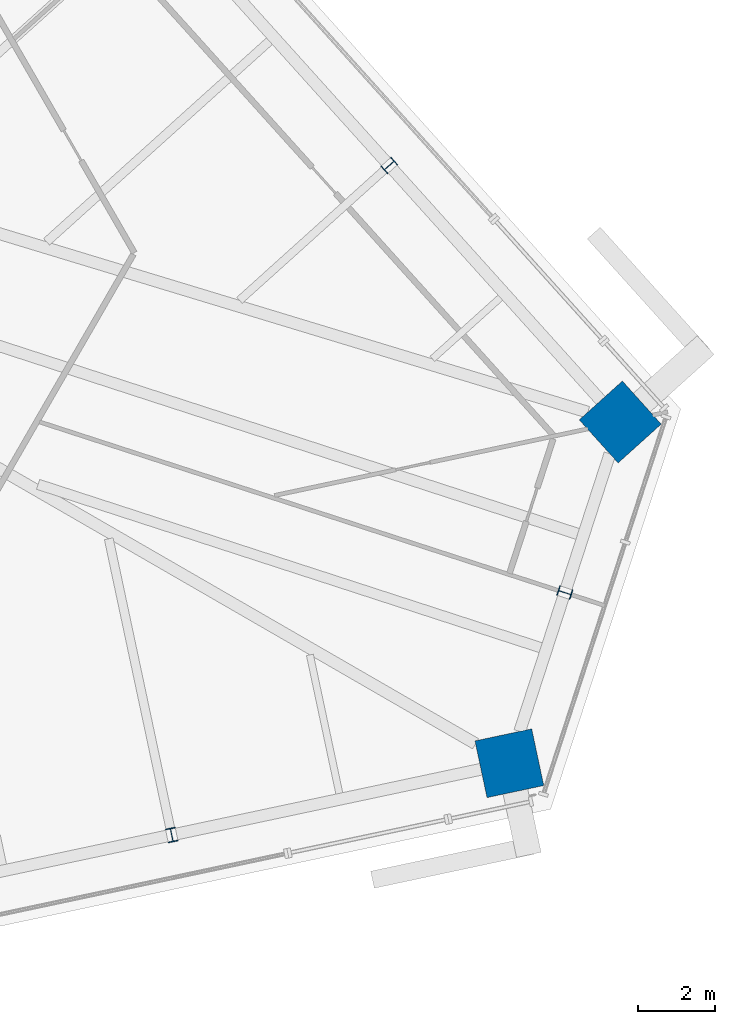
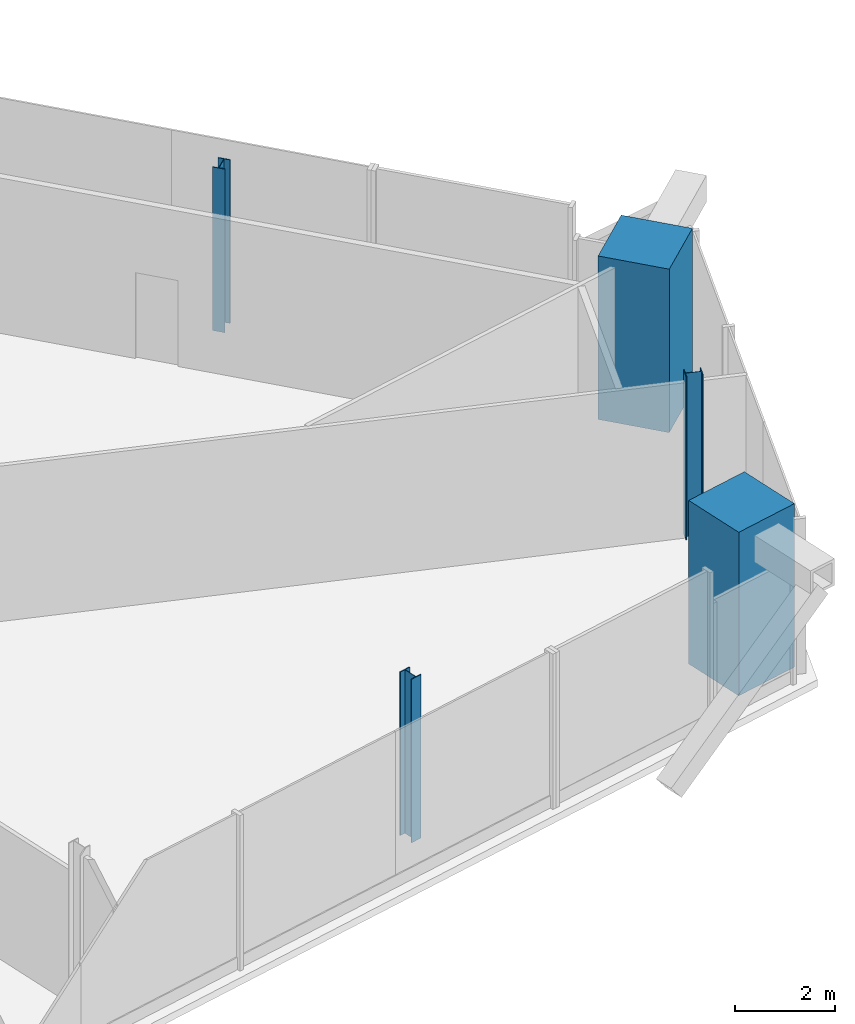
# One storey, part 2 of 16: 5 columns.
"""IFC4 building model written with IfcOpenShell, lengths in metres."""

from ifc_helpers import new_model, si_unit, direction, frame, origin, origin_2d, place, context, subcontext, project, spatial, rectangle, i_section, extrude, source, transform, mapped, material, material_profile, profile_set, type_object, element, save


model = new_model("IFC4")

# Units and contexts
model_context = context("Model", 3, precision=1e-05, world=origin(), true_north=direction((0.0, 1.0)))
body_context = subcontext(model_context, "Body", "Model", "MODEL_VIEW")
ifc_project = project(units=[si_unit("LENGTHUNIT", "METRE"), si_unit("AREAUNIT", "SQUARE_METRE"), si_unit("VOLUMEUNIT", "CUBIC_METRE"), si_unit("PLANEANGLEUNIT", "RADIAN"), si_unit("MASSUNIT", "GRAM", prefix="KILO")], contexts=[model_context])

# Site, building, storey
site_placement = place(None, origin())
site = spatial("IfcSite", under=ifc_project, at=site_placement, CompositionType="ELEMENT")
building_placement = place(site_placement, origin())
building = spatial("IfcBuilding", under=site, at=building_placement, Name="Triune Harvest Tower", CompositionType="ELEMENT")
storey_placement = place(building_placement, frame((0.0, 0.0, 292.699951171875)))
storey = spatial("IfcBuildingStorey", under=building, at=storey_placement, Name="L77", CompositionType="ELEMENT", Elevation=292.699951171875)

# Columns
ifc_material_1 = material(Name="Concrete 70 MPa", Category="concrete")
ifc_material_profile_1 = material_profile(ifc_material_1, rectangle(XDim=1.5, YDim=1.5, at=origin_2d()), Name="Composite 1500x1500")
ifc_profile_set_1 = profile_set([ifc_material_profile_1], Name="Concrete 70 MPa")
column_type_1 = type_object("IfcColumnType", Name="MC-7 Mega column Composite 1500x1500", PredefinedType="COLUMN", material=ifc_profile_set_1)
shared_shape_1 = source(origin(), body_context, "Body", "SweptSolid", [
    extrude(rectangle(XDim=1.5, YDim=1.5, at=origin_2d()), origin(), (0.0, 0.0, 1.0), 4.0),
])
for number, where, z_axis, x_axis, name in (
    (1, (28.4931640625, -4.379150390625, 0.0), (0.0, 0.0, 1.0), (-0.669130606359, 0.743144825477, 0.0), "col/L77/M0"),
    (2, (25.62548828125, -13.205078125, 0.0), (0.0, 0.0, 1.0), (0.978147237858, 0.207913398007, 0.0), "col/L77/M19"),
):
    element("IfcColumn", number, at=place(storey_placement, frame(where, z_axis=z_axis, x_axis=x_axis)), inside=storey, type_object=column_type_1, Name=name, PredefinedType="COLUMN", context=body_context, shape_type="MappedRepresentation", body=[
        mapped(shared_shape_1, transform((0.0, 0.0, 0.0), scale=1.0)),
    ])
ifc_material_2 = material(Name="Steel ASTM A992 Gr 50", Category="steel")
ifc_material_profile_2 = material_profile(ifc_material_2, i_section(OverallWidth=0.256591796875, OverallDepth=0.360595703125, WebThickness=0.011474609375, FlangeThickness=0.02001953125, at=origin_2d()), Name="W14x74")
ifc_profile_set_2 = profile_set([ifc_material_profile_2], Name="Steel ASTM A992 Gr 50")
column_type_2 = type_object("IfcColumnType", Name="PC-7 Perimeter column W14x74", PredefinedType="COLUMN", material=ifc_profile_set_2)
shared_shape_2 = source(origin(), body_context, "Body", "SweptSolid", [
    extrude(i_section(OverallWidth=0.256591796875, OverallDepth=0.360595703125, WebThickness=0.011474609375, FlangeThickness=0.02001953125, at=origin_2d()), origin(), (0.0, 0.0, 1.0), 4.0),
])
for number, where, z_axis, x_axis, name in (
    (3, (22.519287109375, 2.255615234375, 0.0), (0.0, 0.0, 1.0), (-0.669130606359, 0.743144825477, 0.0), "col/L77/P1"),
    (4, (16.892578125, -15.061279296875, 0.0), (0.0, 0.0, 1.0), (0.978147237858, 0.207913398007, 0.0), "col/L77/P18"),
    (5, (27.059326171875, -8.7919921875, 0.0), (0.0, 0.0, 1.0), (0.309016994375, 0.951056516295, 0.0), "col/L77/P20"),
):
    element("IfcColumn", number, at=place(storey_placement, frame(where, z_axis=z_axis, x_axis=x_axis)), inside=storey, type_object=column_type_2, Name=name, PredefinedType="COLUMN", context=body_context, shape_type="MappedRepresentation", body=[
        mapped(shared_shape_2, transform((0.0, 0.0, 0.0), scale=1.0)),
    ])

save(model, "model.ifc")
